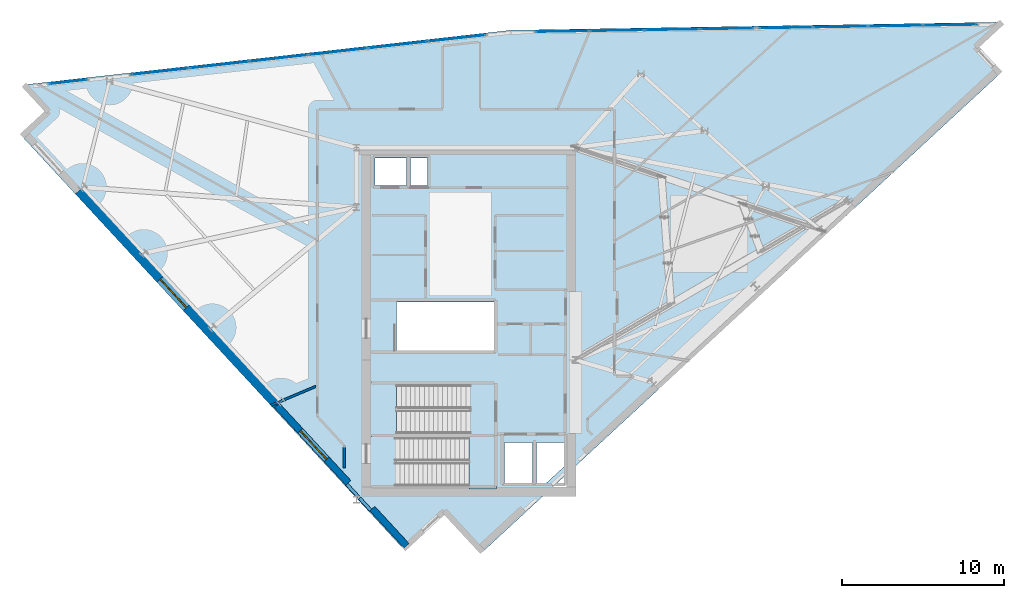
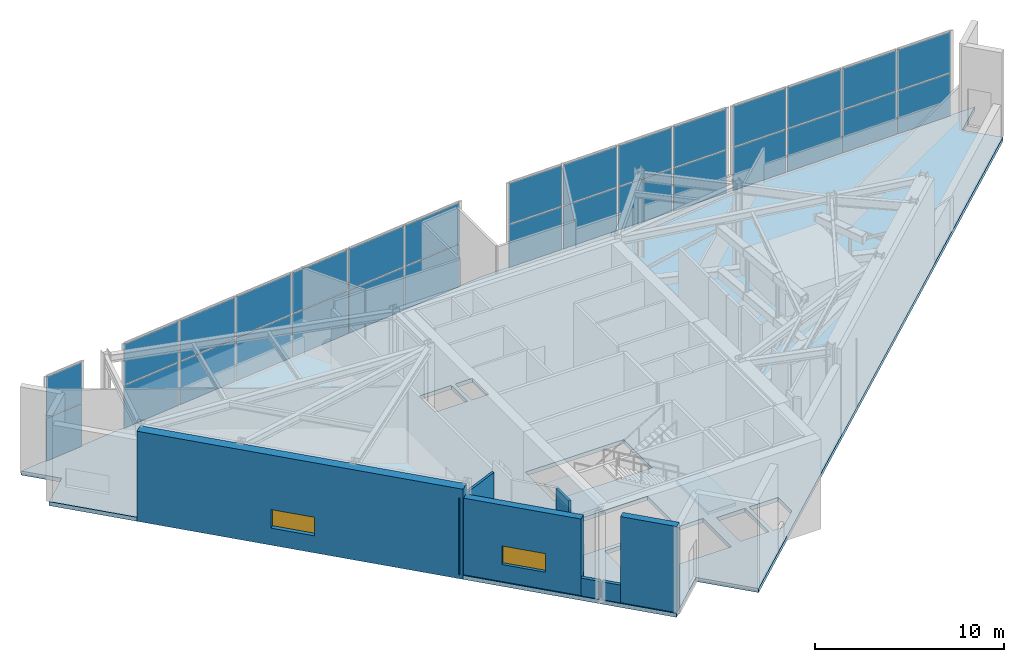
# One storey, part 8 of 15: 30 plates, 7 walls, 3 slabs, 2 windows, 2 openings, 6 elements without a shape of their own.
"""IFC4 building model written with IfcOpenShell, lengths in metres."""

from ifc_helpers import new_model, si_unit, direction, frame, frame_2d, origin, origin_2d, place, context, subcontext, project, spatial, polyline, rectangle, outline, extrude, material, layer, layer_set, type_object, element, fill, aggregate, save


model = new_model("IFC4")

# Units and contexts
model_context = context("Model", 3, precision=1e-05, world=origin(), true_north=direction((0.0, 1.0)))
body_context = subcontext(model_context, "Body", "Model", "MODEL_VIEW")
ifc_project = project(units=[si_unit("LENGTHUNIT", "METRE"), si_unit("AREAUNIT", "SQUARE_METRE"), si_unit("VOLUMEUNIT", "CUBIC_METRE"), si_unit("PLANEANGLEUNIT", "RADIAN"), si_unit("MASSUNIT", "GRAM", prefix="KILO")], contexts=[model_context])

# Site, building, storey
site_placement = place(None, origin())
site = spatial("IfcSite", under=ifc_project, at=site_placement, CompositionType="ELEMENT")
building_placement = place(site_placement, origin())
building = spatial("IfcBuilding", under=site, at=building_placement, Name="Narakoshi Arena Tower", CompositionType="ELEMENT")
storey_placement = place(building_placement, frame((0.0, 0.0, 292.419921875)))
storey = spatial("IfcBuildingStorey", under=building, at=storey_placement, Name="L80", CompositionType="ELEMENT", Elevation=292.419921875)

# Curtain wall, plates
ifc_material_1 = material(Name="Clear low-iron laminated structural glass", Category="glass")
curtain_wall_type = type_object("IfcCurtainWallType", Name="CW-OBS-TMD", PredefinedType="NOTDEFINED", material=ifc_material_1)
curtain_wall_1_placement = place(storey_placement, origin())
curtain_wall_1 = element("IfcCurtainWall", 1, at=curtain_wall_1_placement, inside=storey, type_object=curtain_wall_type, Name="L80 Folded Hypotenuse Curtain Wall 1-1", PredefinedType="NOTDEFINED")
ifc_layer_1 = layer(ifc_material_1, 0.052001953125)
ifc_layer_set_1 = layer_set([ifc_layer_1], Name="Clear low-iron laminated structural glass")
plate_type = type_object("IfcPlateType", Name="PLT-GLZ-52", PredefinedType="CURTAIN_PANEL", material=ifc_layer_set_1)
plate_1_placement = place(storey_placement, frame((108.740234375, 64.090087890625, 0.070068359375), z_axis=(0.0, 0.0, 1.0), x_axis=(-0.999864775441, -0.016444781281, 0.0)))
plate_1 = element("IfcPlate", 2, at=plate_1_placement, type_object=plate_type, Name="CW-05 panel 1.1", PredefinedType="CURTAIN_PANEL", context=body_context, shape_type="SweptSolid", body=[
    extrude(rectangle(XDim=3.27783203125, YDim=0.052001953125, at=origin_2d()), origin(), (0.0, 0.0, 1.0), 2.7451171875),
])
plate_2_placement = place(storey_placement, frame((108.740234375, 64.090087890625, 2.885009765625), z_axis=(0.0, 0.0, 1.0), x_axis=(-0.999864775441, -0.016444781281, 0.0)))
plate_2 = element("IfcPlate", 3, at=plate_2_placement, type_object=plate_type, Name="CW-05 panel 1.2", PredefinedType="CURTAIN_PANEL", context=body_context, shape_type="SweptSolid", body=[
    extrude(rectangle(XDim=3.27783203125, YDim=0.052001953125, at=origin_2d()), origin(), (0.0, 0.0, 1.0), 2.60498046875),
])
plate_3_placement = place(storey_placement, frame((105.363037109375, 64.03466796875, 0.070068359375), z_axis=(0.0, 0.0, 1.0), x_axis=(-0.999864775441, -0.016444781281, 0.0)))
plate_3 = element("IfcPlate", 4, at=plate_3_placement, type_object=plate_type, Name="CW-05 panel 2.1", PredefinedType="CURTAIN_PANEL", context=body_context, shape_type="SweptSolid", body=[
    extrude(rectangle(XDim=3.317626953125, YDim=0.052001953125, at=origin_2d()), origin(), (0.0, 0.0, 1.0), 2.7451171875),
])
plate_4_placement = place(storey_placement, frame((105.363037109375, 64.03466796875, 2.885009765625), z_axis=(0.0, 0.0, 1.0), x_axis=(-0.999864775441, -0.016444781281, 0.0)))
plate_4 = element("IfcPlate", 5, at=plate_4_placement, type_object=plate_type, Name="CW-05 panel 2.2", PredefinedType="CURTAIN_PANEL", context=body_context, shape_type="SweptSolid", body=[
    extrude(rectangle(XDim=3.317626953125, YDim=0.052001953125, at=origin_2d()), origin(), (0.0, 0.0, 1.0), 2.60498046875),
])
plate_5_placement = place(storey_placement, frame((101.9658203125, 63.978759765625, 0.070068359375), z_axis=(0.0, 0.0, 1.0), x_axis=(-0.999864775441, -0.016444781281, 0.0)))
plate_5 = element("IfcPlate", 6, at=plate_5_placement, type_object=plate_type, Name="CW-05 panel 3.1", PredefinedType="CURTAIN_PANEL", context=body_context, shape_type="SweptSolid", body=[
    extrude(rectangle(XDim=3.317626953125, YDim=0.052001953125, at=origin_2d()), origin(), (0.0, 0.0, 1.0), 2.7451171875),
])
plate_6_placement = place(storey_placement, frame((101.9658203125, 63.978759765625, 2.885009765625), z_axis=(0.0, 0.0, 1.0), x_axis=(-0.999864775441, -0.016444781281, 0.0)))
plate_6 = element("IfcPlate", 7, at=plate_6_placement, type_object=plate_type, Name="CW-05 panel 3.2", PredefinedType="CURTAIN_PANEL", context=body_context, shape_type="SweptSolid", body=[
    extrude(rectangle(XDim=3.317626953125, YDim=0.052001953125, at=origin_2d()), origin(), (0.0, 0.0, 1.0), 2.60498046875),
])
plate_7_placement = place(storey_placement, frame((98.58837890625, 63.923095703125, 0.070068359375), z_axis=(0.0, 0.0, 1.0), x_axis=(-0.999864775441, -0.016444781281, 0.0)))
plate_7 = element("IfcPlate", 8, at=plate_7_placement, type_object=plate_type, Name="CW-05 panel 4.1", PredefinedType="CURTAIN_PANEL", context=body_context, shape_type="SweptSolid", body=[
    extrude(rectangle(XDim=3.27783203125, YDim=0.052001953125, at=origin_2d()), origin(), (0.0, 0.0, 1.0), 2.7451171875),
])
plate_8_placement = place(storey_placement, frame((98.58837890625, 63.923095703125, 2.885009765625), z_axis=(0.0, 0.0, 1.0), x_axis=(-0.999864775441, -0.016444781281, 0.0)))
plate_8 = element("IfcPlate", 9, at=plate_8_placement, type_object=plate_type, Name="CW-05 panel 4.2", PredefinedType="CURTAIN_PANEL", context=body_context, shape_type="SweptSolid", body=[
    extrude(rectangle(XDim=3.27783203125, YDim=0.052001953125, at=origin_2d()), origin(), (0.0, 0.0, 1.0), 2.60498046875),
])
aggregate(curtain_wall_1, [plate_1, plate_2, plate_3, plate_4, plate_5, plate_6, plate_7, plate_8])

curtain_wall_2_placement = place(storey_placement, origin())
curtain_wall_2 = element("IfcCurtainWall", 10, at=curtain_wall_2_placement, inside=storey, type_object=curtain_wall_type, Name="L80 Folded Hypotenuse Curtain Wall 1-2", PredefinedType="NOTDEFINED")
plate_9_placement = place(storey_placement, frame((94.9111328125, 63.862548828125, 0.070068359375), z_axis=(0.0, 0.0, 1.0), x_axis=(-0.999864898384, -0.016437304499, 0.0)))
plate_9 = element("IfcPlate", 11, at=plate_9_placement, type_object=plate_type, Name="CW-05 panel 1.1", PredefinedType="CURTAIN_PANEL", context=body_context, shape_type="SweptSolid", body=[
    extrude(rectangle(XDim=3.27783203125, YDim=0.052001953125, at=origin_2d()), origin(), (0.0, 0.0, 1.0), 2.7451171875),
])
plate_10_placement = place(storey_placement, frame((94.9111328125, 63.862548828125, 2.885009765625), z_axis=(0.0, 0.0, 1.0), x_axis=(-0.999864898384, -0.016437304499, 0.0)))
plate_10 = element("IfcPlate", 12, at=plate_10_placement, type_object=plate_type, Name="CW-05 panel 1.2", PredefinedType="CURTAIN_PANEL", context=body_context, shape_type="SweptSolid", body=[
    extrude(rectangle(XDim=3.27783203125, YDim=0.052001953125, at=origin_2d()), origin(), (0.0, 0.0, 1.0), 2.60498046875),
])
plate_11_placement = place(storey_placement, frame((91.533935546875, 63.80712890625, 0.070068359375), z_axis=(0.0, 0.0, 1.0), x_axis=(-0.999864898384, -0.016437304499, 0.0)))
plate_11 = element("IfcPlate", 13, at=plate_11_placement, type_object=plate_type, Name="CW-05 panel 2.1", PredefinedType="CURTAIN_PANEL", context=body_context, shape_type="SweptSolid", body=[
    extrude(rectangle(XDim=3.31787109375, YDim=0.052001953125, at=origin_2d()), origin(), (0.0, 0.0, 1.0), 2.7451171875),
])
plate_12_placement = place(storey_placement, frame((91.533935546875, 63.80712890625, 2.885009765625), z_axis=(0.0, 0.0, 1.0), x_axis=(-0.999864898384, -0.016437304499, 0.0)))
plate_12 = element("IfcPlate", 14, at=plate_12_placement, type_object=plate_type, Name="CW-05 panel 2.2", PredefinedType="CURTAIN_PANEL", context=body_context, shape_type="SweptSolid", body=[
    extrude(rectangle(XDim=3.31787109375, YDim=0.052001953125, at=origin_2d()), origin(), (0.0, 0.0, 1.0), 2.60498046875),
])
plate_13_placement = place(storey_placement, frame((88.136474609375, 63.751220703125, 0.070068359375), z_axis=(0.0, 0.0, 1.0), x_axis=(-0.999864898384, -0.016437304499, 0.0)))
plate_13 = element("IfcPlate", 15, at=plate_13_placement, type_object=plate_type, Name="CW-05 panel 3.1", PredefinedType="CURTAIN_PANEL", context=body_context, shape_type="SweptSolid", body=[
    extrude(rectangle(XDim=3.31787109375, YDim=0.052001953125, at=origin_2d()), origin(), (0.0, 0.0, 1.0), 2.7451171875),
])
plate_14_placement = place(storey_placement, frame((88.136474609375, 63.751220703125, 2.885009765625), z_axis=(0.0, 0.0, 1.0), x_axis=(-0.999864898384, -0.016437304499, 0.0)))
plate_14 = element("IfcPlate", 16, at=plate_14_placement, type_object=plate_type, Name="CW-05 panel 3.2", PredefinedType="CURTAIN_PANEL", context=body_context, shape_type="SweptSolid", body=[
    extrude(rectangle(XDim=3.31787109375, YDim=0.052001953125, at=origin_2d()), origin(), (0.0, 0.0, 1.0), 2.60498046875),
])
plate_15_placement = place(storey_placement, frame((84.75927734375, 63.69580078125, 0.070068359375), z_axis=(0.0, 0.0, 1.0), x_axis=(-0.999864898384, -0.016437304499, 0.0)))
plate_15 = element("IfcPlate", 17, at=plate_15_placement, type_object=plate_type, Name="CW-05 panel 4.1", PredefinedType="CURTAIN_PANEL", context=body_context, shape_type="SweptSolid", body=[
    extrude(rectangle(XDim=3.27783203125, YDim=0.052001953125, at=origin_2d()), origin(), (0.0, 0.0, 1.0), 2.7451171875),
])
plate_16_placement = place(storey_placement, frame((84.75927734375, 63.69580078125, 2.885009765625), z_axis=(0.0, 0.0, 1.0), x_axis=(-0.999864898384, -0.016437304499, 0.0)))
plate_16 = element("IfcPlate", 18, at=plate_16_placement, type_object=plate_type, Name="CW-05 panel 4.2", PredefinedType="CURTAIN_PANEL", context=body_context, shape_type="SweptSolid", body=[
    extrude(rectangle(XDim=3.27783203125, YDim=0.052001953125, at=origin_2d()), origin(), (0.0, 0.0, 1.0), 2.60498046875),
])
aggregate(curtain_wall_2, [plate_9, plate_10, plate_11, plate_12, plate_13, plate_14, plate_15, plate_16])

curtain_wall_3_placement = place(storey_placement, origin())
curtain_wall_3 = element("IfcCurtainWall", 19, at=curtain_wall_3_placement, inside=storey, type_object=curtain_wall_type, Name="L80 Folded Hypotenuse Curtain Wall 2-1", PredefinedType="NOTDEFINED")
plate_17_placement = place(storey_placement, frame((78.20263671875, 63.26806640625, 0.070068359375), z_axis=(0.0, 0.0, 1.0), x_axis=(-0.9937760074, -0.111396800294, 0.0)))
plate_17 = element("IfcPlate", 20, at=plate_17_placement, type_object=plate_type, Name="CW-05 panel 1.1", PredefinedType="CURTAIN_PANEL", context=body_context, shape_type="SweptSolid", body=[
    extrude(rectangle(XDim=3.580810546875, YDim=0.052001953125, at=origin_2d()), origin(), (0.0, 0.0, 1.0), 2.7451171875),
])
plate_18_placement = place(storey_placement, frame((78.20263671875, 63.26806640625, 2.885009765625), z_axis=(0.0, 0.0, 1.0), x_axis=(-0.9937760074, -0.111396800294, 0.0)))
plate_18 = element("IfcPlate", 21, at=plate_18_placement, type_object=plate_type, Name="CW-05 panel 1.2", PredefinedType="CURTAIN_PANEL", context=body_context, shape_type="SweptSolid", body=[
    extrude(rectangle(XDim=3.580810546875, YDim=0.052001953125, at=origin_2d()), origin(), (0.0, 0.0, 1.0), 2.60498046875),
])
plate_19_placement = place(storey_placement, frame((74.544677734375, 62.858154296875, 0.070068359375), z_axis=(0.0, 0.0, 1.0), x_axis=(-0.9937760074, -0.111396800294, 0.0)))
plate_19 = element("IfcPlate", 22, at=plate_19_placement, type_object=plate_type, Name="CW-05 panel 2.1", PredefinedType="CURTAIN_PANEL", context=body_context, shape_type="SweptSolid", body=[
    extrude(rectangle(XDim=3.620849609375, YDim=0.052001953125, at=origin_2d()), origin(), (0.0, 0.0, 1.0), 2.7451171875),
])
plate_20_placement = place(storey_placement, frame((74.544677734375, 62.858154296875, 2.885009765625), z_axis=(0.0, 0.0, 1.0), x_axis=(-0.9937760074, -0.111396800294, 0.0)))
plate_20 = element("IfcPlate", 23, at=plate_20_placement, type_object=plate_type, Name="CW-05 panel 2.2", PredefinedType="CURTAIN_PANEL", context=body_context, shape_type="SweptSolid", body=[
    extrude(rectangle(XDim=3.620849609375, YDim=0.052001953125, at=origin_2d()), origin(), (0.0, 0.0, 1.0), 2.60498046875),
])
plate_21_placement = place(storey_placement, frame((70.866943359375, 62.44580078125, 0.070068359375), z_axis=(0.0, 0.0, 1.0), x_axis=(-0.9937760074, -0.111396800294, 0.0)))
plate_21 = element("IfcPlate", 24, at=plate_21_placement, type_object=plate_type, Name="CW-05 panel 3.1", PredefinedType="CURTAIN_PANEL", context=body_context, shape_type="SweptSolid", body=[
    extrude(rectangle(XDim=3.620849609375, YDim=0.052001953125, at=origin_2d()), origin(), (0.0, 0.0, 1.0), 2.7451171875),
])
plate_22_placement = place(storey_placement, frame((70.866943359375, 62.44580078125, 2.885009765625), z_axis=(0.0, 0.0, 1.0), x_axis=(-0.9937760074, -0.111396800294, 0.0)))
plate_22 = element("IfcPlate", 25, at=plate_22_placement, type_object=plate_type, Name="CW-05 panel 3.2", PredefinedType="CURTAIN_PANEL", context=body_context, shape_type="SweptSolid", body=[
    extrude(rectangle(XDim=3.620849609375, YDim=0.052001953125, at=origin_2d()), origin(), (0.0, 0.0, 1.0), 2.60498046875),
])
plate_23_placement = place(storey_placement, frame((67.18896484375, 62.033447265625, 0.070068359375), z_axis=(0.0, 0.0, 1.0), x_axis=(-0.9937760074, -0.111396800294, 0.0)))
plate_23 = element("IfcPlate", 26, at=plate_23_placement, type_object=plate_type, Name="CW-05 panel 4.1", PredefinedType="CURTAIN_PANEL", context=body_context, shape_type="SweptSolid", body=[
    extrude(rectangle(XDim=3.620849609375, YDim=0.052001953125, at=origin_2d()), origin(), (0.0, 0.0, 1.0), 2.7451171875),
])
plate_24_placement = place(storey_placement, frame((67.18896484375, 62.033447265625, 2.885009765625), z_axis=(0.0, 0.0, 1.0), x_axis=(-0.9937760074, -0.111396800294, 0.0)))
plate_24 = element("IfcPlate", 27, at=plate_24_placement, type_object=plate_type, Name="CW-05 panel 4.2", PredefinedType="CURTAIN_PANEL", context=body_context, shape_type="SweptSolid", body=[
    extrude(rectangle(XDim=3.620849609375, YDim=0.052001953125, at=origin_2d()), origin(), (0.0, 0.0, 1.0), 2.60498046875),
])
plate_25_placement = place(storey_placement, frame((63.51123046875, 61.621337890625, 0.070068359375), z_axis=(0.0, 0.0, 1.0), x_axis=(-0.9937760074, -0.111396800294, 0.0)))
plate_25 = element("IfcPlate", 28, at=plate_25_placement, type_object=plate_type, Name="CW-05 panel 5.1", PredefinedType="CURTAIN_PANEL", context=body_context, shape_type="SweptSolid", body=[
    extrude(rectangle(XDim=3.620849609375, YDim=0.052001953125, at=origin_2d()), origin(), (0.0, 0.0, 1.0), 2.7451171875),
])
plate_26_placement = place(storey_placement, frame((63.51123046875, 61.621337890625, 2.885009765625), z_axis=(0.0, 0.0, 1.0), x_axis=(-0.9937760074, -0.111396800294, 0.0)))
plate_26 = element("IfcPlate", 29, at=plate_26_placement, type_object=plate_type, Name="CW-05 panel 5.2", PredefinedType="CURTAIN_PANEL", context=body_context, shape_type="SweptSolid", body=[
    extrude(rectangle(XDim=3.620849609375, YDim=0.052001953125, at=origin_2d()), origin(), (0.0, 0.0, 1.0), 2.60498046875),
])
plate_27_placement = place(storey_placement, frame((59.853271484375, 61.211181640625, 0.070068359375), z_axis=(0.0, 0.0, 1.0), x_axis=(-0.9937760074, -0.111396800294, 0.0)))
plate_27 = element("IfcPlate", 30, at=plate_27_placement, type_object=plate_type, Name="CW-05 panel 6.1", PredefinedType="CURTAIN_PANEL", context=body_context, shape_type="SweptSolid", body=[
    extrude(rectangle(XDim=3.580810546875, YDim=0.052001953125, at=origin_2d()), origin(), (0.0, 0.0, 1.0), 2.7451171875),
])
plate_28_placement = place(storey_placement, frame((59.853271484375, 61.211181640625, 2.885009765625), z_axis=(0.0, 0.0, 1.0), x_axis=(-0.9937760074, -0.111396800294, 0.0)))
plate_28 = element("IfcPlate", 31, at=plate_28_placement, type_object=plate_type, Name="CW-05 panel 6.2", PredefinedType="CURTAIN_PANEL", context=body_context, shape_type="SweptSolid", body=[
    extrude(rectangle(XDim=3.580810546875, YDim=0.052001953125, at=origin_2d()), origin(), (0.0, 0.0, 1.0), 2.60498046875),
])
aggregate(curtain_wall_3, [plate_17, plate_18, plate_19, plate_20, plate_21, plate_22, plate_23, plate_24, plate_25, plate_26, plate_27, plate_28])

curtain_wall_4_placement = place(storey_placement, origin())
curtain_wall_4 = element("IfcCurtainWall", 32, at=curtain_wall_4_placement, inside=storey, type_object=curtain_wall_type, Name="L80 Folded Hypotenuse Curtain Wall 2-2", PredefinedType="NOTDEFINED")
plate_29_placement = place(storey_placement, frame((54.15478515625, 60.572509765625, 0.070068359375), z_axis=(0.0, 0.0, 1.0), x_axis=(-0.993773636197, -0.111417951878, 0.0)))
plate_29 = element("IfcPlate", 33, at=plate_29_placement, type_object=plate_type, Name="CW-05 panel 1.1", PredefinedType="CURTAIN_PANEL", context=body_context, shape_type="SweptSolid", body=[
    extrude(rectangle(XDim=2.31005859375, YDim=0.052001953125, at=origin_2d()), origin(), (0.0, 0.0, 1.0), 2.7451171875),
])
plate_30_placement = place(storey_placement, frame((54.15478515625, 60.572509765625, 2.885009765625), z_axis=(0.0, 0.0, 1.0), x_axis=(-0.993773636197, -0.111417951878, 0.0)))
plate_30 = element("IfcPlate", 34, at=plate_30_placement, type_object=plate_type, Name="CW-05 panel 1.2", PredefinedType="CURTAIN_PANEL", context=body_context, shape_type="SweptSolid", body=[
    extrude(rectangle(XDim=2.31005859375, YDim=0.052001953125, at=origin_2d()), origin(), (0.0, 0.0, 1.0), 2.60498046875),
])
aggregate(curtain_wall_4, [plate_29, plate_30])

# Stair, slab
ifc_material_2 = material(Name="Concrete C45/55", Category="concrete")
stair_type = type_object("IfcStairType", Name="STR-TMD-576", PredefinedType="TWO_STRAIGHT_RUN_STAIR", material=ifc_material_2)
stair_1_placement = place(storey_placement, origin())
stair_1 = element("IfcStair", 35, at=stair_1_placement, inside=storey, type_object=stair_type, Name="L80 Core Escape Stair ST1", PredefinedType="TWO_STRAIGHT_RUN_STAIR")
ifc_layer_2 = layer(ifc_material_2, 0.18994140625)
ifc_layer_set_2 = layer_set([ifc_layer_2], Name="Concrete C45/55")
slab_type_1 = type_object("IfcSlabType", Name="SLB-LND-190", PredefinedType="LANDING", material=ifc_layer_set_2)
slab_1_placement = place(storey_placement, frame((0.0, 0.0, 2.690185546875)))
slab_1 = element("IfcSlab", 36, at=slab_1_placement, type_object=slab_type_1, Name="ST1 landing 1", PredefinedType="LANDING", context=body_context, shape_type="SweptSolid", body=[
    extrude(outline(polyline([(78.9599609375, 35.3701171875), (80.679931640625, 35.3701171875), (80.679931640625, 38.72998046875), (78.9599609375, 38.72998046875), (78.9599609375, 35.3701171875)])), origin(), (0.0, 0.0, 1.0), 0.18994140625),
])
aggregate(stair_1, [slab_1])

stair_2_placement = place(storey_placement, origin())
stair_2 = element("IfcStair", 37, at=stair_2_placement, inside=storey, type_object=stair_type, Name="L80 Core Escape Stair ST2", PredefinedType="TWO_STRAIGHT_RUN_STAIR")
slab_2_placement = place(storey_placement, frame((0.0, 0.0, 2.690185546875)))
slab_2 = element("IfcSlab", 38, at=slab_2_placement, type_object=slab_type_1, Name="ST2 landing 1", PredefinedType="LANDING", context=body_context, shape_type="SweptSolid", body=[
    extrude(outline(polyline([(72.77001953125, 38.6201171875), (74.489990234375, 38.6201171875), (74.489990234375, 41.97998046875), (72.77001953125, 41.97998046875), (72.77001953125, 38.6201171875)])), origin(), (0.0, 0.0, 1.0), 0.18994140625),
])
aggregate(stair_2, [slab_2])

# Slab
ifc_material_3 = material(Name="Concrete C50/60", Category="concrete")
ifc_layer_3 = layer(ifc_material_3, 0.260009765625)
ifc_layer_set_3 = layer_set([ifc_layer_3], Name="Concrete C50/60")
slab_type_2 = type_object("IfcSlabType", Name="SLB-SKY-260", PredefinedType="FLOOR", material=ifc_layer_set_3)
slab_3_placement = place(storey_placement, frame((0.0, 0.0, -0.260009765625)))
element("IfcSlab", 39, at=slab_3_placement, inside=storey, type_object=slab_type_2, Name="L80 Structural Floor Slab", PredefinedType="FLOOR", context=body_context, shape_type="SweptSolid", body=[
    extrude(outline(polyline([(79.8056640625, 31.47216796875), (111.83154296875, 61.076416015625), (110.30078125, 62.732421875), (111.956787109375, 64.26318359375), (81.538818359375, 63.7626953125), (51.42333984375, 60.38720703125), (52.9541015625, 58.731201171875), (51.298095703125, 57.200439453125), (74.9033203125, 31.664794921875), (77.45068359375, 34.01953125), (79.8056640625, 31.47216796875)]), holes=[polyline([(80.5, 35.550048828125), (74.47998046875, 35.550048828125), (74.47998046875, 38.550048828125), (80.5, 38.550048828125), (80.5, 35.550048828125)]), polyline([(82.89990234375, 38.25), (82.89990234375, 35.75), (81.14990234375, 35.75), (81.14990234375, 38.25), (82.89990234375, 38.25)]), polyline([(84.89990234375, 36.794189453125), (83.7705078125, 35.75), (83.14990234375, 35.75), (83.14990234375, 38.25), (84.89990234375, 38.25), (84.89990234375, 36.794189453125)]), polyline([(78.969970703125, 38.800048828125), (72.949951171875, 38.800048828125), (72.949951171875, 41.800048828125), (78.969970703125, 41.800048828125), (78.969970703125, 38.800048828125)]), polyline([(80.5, 43.949951171875), (74.47998046875, 43.949951171875), (74.47998046875, 46.949951171875), (80.5, 46.949951171875), (80.5, 43.949951171875)]), polyline([(75.10009765625, 54.14990234375), (73.14990234375, 54.14990234375), (73.14990234375, 55.85009765625), (75.10009765625, 55.85009765625), (75.10009765625, 54.14990234375)]), polyline([(76.39990234375, 54.14990234375), (75.35009765625, 54.14990234375), (75.35009765625, 55.85009765625), (76.39990234375, 55.85009765625), (76.39990234375, 54.14990234375)])]), origin(), (0.0, 0.0, 1.0), 0.260009765625),
])

# Wall, opening, window
ifc_layer_4 = layer(ifc_material_3, 0.550048828125)
ifc_layer_set_4 = layer_set([ifc_layer_4], Name="Concrete C50/60")
wall_type_1 = type_object("IfcWallType", Name="WL-LEG-550", PredefinedType="SHEAR", material=ifc_layer_set_4)
wall_1_placement = place(storey_placement, frame((54.804931640625, 53.81201171875, -0.260009765625), z_axis=(0.0, 0.0, 1.0), x_axis=(0.678803115619, -0.734320318543, 0.0)))
wall_1 = element("IfcWall", 40, at=wall_1_placement, inside=storey, type_object=wall_type_1, Name="L80 Architectural Concrete Structural Wall LEGB-2", PredefinedType="SHEAR", context=body_context, shape_type="SweptSolid", body=[
    extrude(rectangle(XDim=18.082763671875, YDim=0.550048828125, at=frame_2d((9.04150390625, 0.0))), origin(), (0.0, 0.0, 1.0), 5.820068359375),
])
opening_1_placement = place(wall_1_placement, frame((7.434326171875, 0.0, 1.10009765625)))
opening_1 = element("IfcOpeningElement", 41, at=opening_1_placement, cuts=wall_1, Name="Opening WN-04", PredefinedType="OPENING", context=body_context, shape_type="SweptSolid", body=[
    extrude(rectangle(XDim=2.39990234375, YDim=1.199951171875, at=frame_2d((1.199951171875, 0.60009765625))), frame((0.0, 0.284912109375, 0.0), z_axis=(0.0, -1.0, 0.0), x_axis=(1.0, 0.0, 0.0)), (0.0, 0.0, 1.0), 0.570068359375),
])
ifc_material_4 = material(Name="Bronze-tinted low-E laminated glass", Category="glass")
window_type = type_object("IfcWindowType", Name="WIN-SLT-24x12", PartitioningType="SINGLE_PANEL", PredefinedType="WINDOW", material=ifc_material_4)
window_1_placement = place(opening_1_placement, origin())
window_1 = element("IfcWindow", 42, at=window_1_placement, inside=storey, type_object=window_type, Name="L80 LEGB2 Horizontal Slot Window 1", OverallHeight=1.199951171875, OverallWidth=2.39990234375, PartitioningType="SINGLE_PANEL", PredefinedType="WINDOW", context=body_context, shape_type="SweptSolid", body=[
    extrude(rectangle(XDim=2.39990234375, YDim=1.199951171875, at=frame_2d((1.199951171875, 0.60009765625))), frame((0.0, 0.030029296875, 0.0), z_axis=(0.0, -1.0, 0.0), x_axis=(1.0, 0.0, 0.0)), (0.0, 0.0, 1.0), 0.06005859375),
])
fill(opening_1, window_1)

# Walls
ifc_material_5 = material(Name="Precast concrete C45/55", Category="concrete")
ifc_layer_5 = layer(ifc_material_5, 0.25)
ifc_layer_set_5 = layer_set([ifc_layer_5], Name="Precast concrete C45/55")
wall_type_2 = type_object("IfcWallType", Name="WL-PARA-250", PredefinedType="PARAPET", material=ifc_layer_set_5)
wall_2_placement = place(storey_placement, frame((72.881103515625, 34.058349609375, 0.0), z_axis=(0.0, 0.0, 1.0), x_axis=(-0.678872530156, 0.734256145905, 0.0)))
element("IfcWall", 43, at=wall_2_placement, inside=storey, type_object=wall_type_2, Name="L80 Crown Sill Upstand Parapet 01", PredefinedType="PARAPET", context=body_context, shape_type="SweptSolid", body=[
    extrude(rectangle(XDim=1.009521484375, YDim=0.199951171875, at=frame_2d((0.5048828125, 0.0))), origin(), (0.0, 0.0, 1.0), 1.150146484375),
])
wall_3_placement = place(storey_placement, frame((72.114990234375, 34.88720703125, 0.0), z_axis=(0.0, 0.0, 1.0), x_axis=(-0.678713667452, 0.734402994012, 0.0)))
element("IfcWall", 44, at=wall_3_placement, inside=storey, type_object=wall_type_2, Name="L80 Crown Sill Upstand Parapet 02", PredefinedType="PARAPET", context=body_context, shape_type="SweptSolid", body=[
    extrude(rectangle(XDim=1.05224609375, YDim=0.199951171875, at=frame_2d((0.526123046875, 0.0))), origin(), (0.0, 0.0, 1.0), 1.150146484375),
])

# Wall, opening, window
ifc_layer_6 = layer(ifc_material_5, 0.419921875)
ifc_layer_set_6 = layer_set([ifc_layer_6], Name="Precast concrete C45/55")
wall_type_3 = type_object("IfcWallType", Name="WL-POD-420", PredefinedType="SOLIDWALL", material=ifc_layer_set_6)
wall_4_placement = place(storey_placement, frame((67.07958984375, 40.533447265625, 0.0), z_axis=(0.0, 0.0, 1.0), x_axis=(0.678800006437, -0.734323192648, 0.0)))
wall_4 = element("IfcWall", 45, at=wall_4_placement, inside=storey, type_object=wall_type_3, Name="L80 Architectural Concrete Facade Wall LEGB-3", PredefinedType="SOLIDWALL", context=body_context, shape_type="SweptSolid", body=[
    extrude(rectangle(XDim=6.51220703125, YDim=0.419921875, at=frame_2d((3.256103515625, 0.0))), origin(), (0.0, 0.0, 1.0), 4.945068359375),
])
opening_2_placement = place(wall_4_placement, frame((2.128662109375, 0.0, 1.10009765625)))
opening_2 = element("IfcOpeningElement", 46, at=opening_2_placement, cuts=wall_4, Name="Opening WN-04", PredefinedType="OPENING", context=body_context, shape_type="SweptSolid", body=[
    extrude(rectangle(XDim=2.39990234375, YDim=1.199951171875, at=frame_2d((1.199951171875, 0.60009765625))), frame((0.0, 0.219970703125, 0.0), z_axis=(0.0, -1.0, 0.0), x_axis=(1.0, 0.0, 0.0)), (0.0, 0.0, 1.0), 0.43994140625),
])
window_2_placement = place(opening_2_placement, origin())
window_2 = element("IfcWindow", 47, at=window_2_placement, inside=storey, type_object=window_type, Name="L80 LEGB3 Horizontal Slot Window 1", OverallHeight=1.199951171875, OverallWidth=2.39990234375, PartitioningType="SINGLE_PANEL", PredefinedType="WINDOW", context=body_context, shape_type="SweptSolid", body=[
    extrude(rectangle(XDim=2.39990234375, YDim=1.199951171875, at=frame_2d((1.199951171875, 0.60009765625))), frame((0.0, 0.030029296875, 0.0), z_axis=(0.0, -1.0, 0.0), x_axis=(1.0, 0.0, 0.0)), (0.0, 0.0, 1.0), 0.06005859375),
])
fill(opening_2, window_2)

# Walls
wall_5_placement = place(storey_placement, frame((72.980224609375, 34.14990234375, 0.0), z_axis=(0.0, 0.0, 1.0), x_axis=(0.67879500555, -0.73432781538, 0.0)))
element("IfcWall", 48, at=wall_5_placement, inside=storey, type_object=wall_type_3, Name="L80 Architectural Concrete Facade Wall LEGB-4", PredefinedType="SOLIDWALL", context=body_context, shape_type="SweptSolid", body=[
    extrude(rectangle(XDim=3.130126953125, YDim=0.419921875, at=frame_2d((1.56494140625, 0.0))), origin(), (0.0, 0.0, 1.0), 5.56005859375),
])
ifc_material_6 = material(Name="Moisture-resistant cement-board partition")
ifc_layer_7 = layer(ifc_material_6, 0.14501953125)
ifc_layer_set_7 = layer_set([ifc_layer_7], Name="Moisture-resistant cement-board partition")
wall_type_4 = type_object("IfcWallType", Name="WL-WET-145", PredefinedType="PARTITIONING", material=ifc_layer_set_7)
wall_6_placement = place(storey_placement, frame((66.697265625, 40.5419921875, 0.0), z_axis=(0.0, 0.0, 1.0), x_axis=(0.92147960716, 0.388426741598, 0.0)))
element("IfcWall", 49, at=wall_6_placement, inside=storey, type_object=wall_type_4, Name="L80 Inter-Room Partition 01-09", PredefinedType="PARTITIONING", context=body_context, shape_type="SweptSolid", body=[
    extrude(rectangle(XDim=3.040283203125, YDim=0.14501953125, at=frame_2d((1.52001953125, 0.0))), origin(), (0.0, 0.0, 1.0), 4.945068359375),
])
wall_7_placement = place(storey_placement, frame((71.25, 37.958984375, 0.0), z_axis=(0.0, 0.0, 1.0), x_axis=(0.0, -1.0, 0.0)))
element("IfcWall", 50, at=wall_7_placement, inside=storey, type_object=wall_type_4, Name="L80 Room Enclosure Partition 01-1", PredefinedType="PARTITIONING", context=body_context, shape_type="SweptSolid", body=[
    extrude(rectangle(XDim=1.3037109375, YDim=0.14501953125, at=frame_2d((0.65185546875, 0.0))), origin(), (0.0, 0.0, 1.0), 5.56005859375),
])

save(model, "model.ifc")
